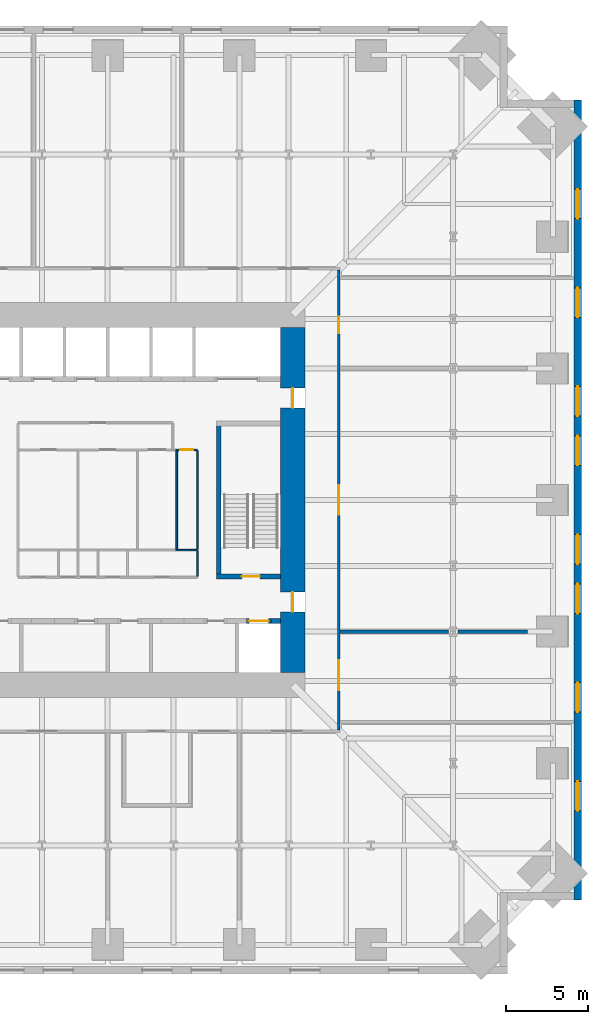
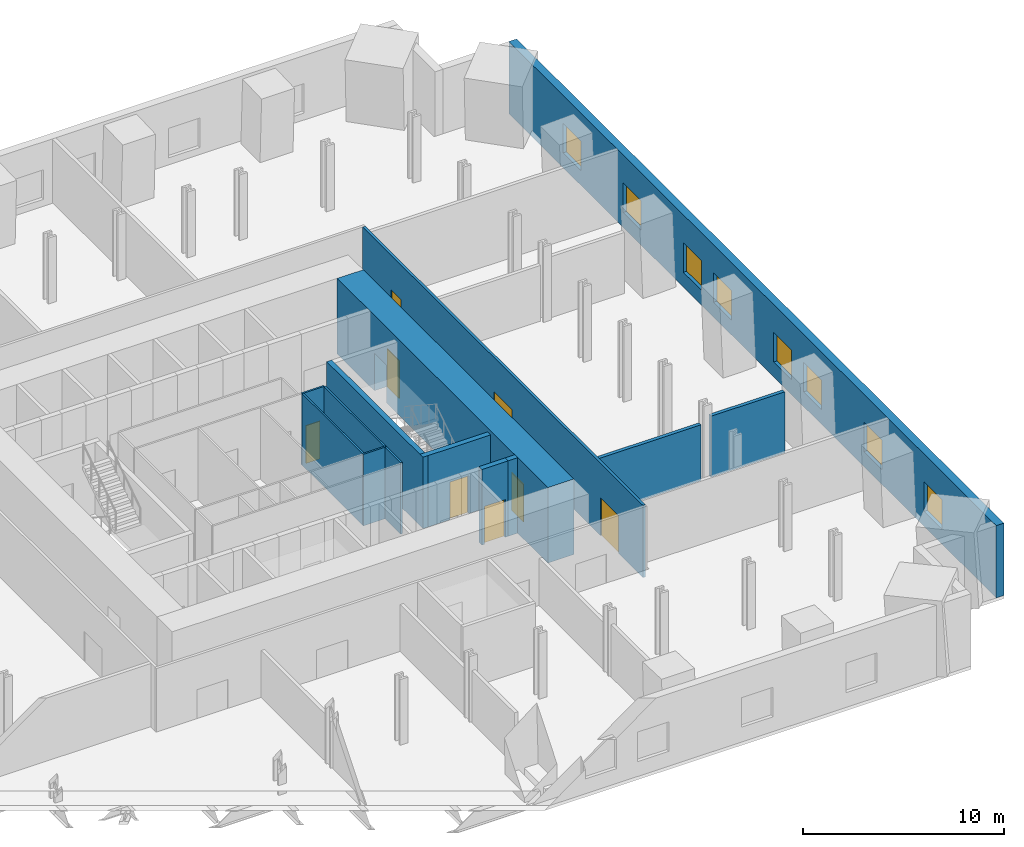
# One storey, part 5 of 8: 14 walls, 8 doors, 8 windows, 16 openings.
"""IFC4 building model written with IfcOpenShell, lengths in metres."""

from ifc_helpers import new_model, si_unit, direction, frame, frame_2d, origin, place, context, subcontext, project, spatial, rectangle, extrude, material, layer, layer_set, type_object, element, fill, save


model = new_model("IFC4")

# Units and contexts
model_context = context("Model", 3, precision=1e-05, world=origin(), true_north=direction((0.0, 1.0)))
body_context = subcontext(model_context, "Body", "Model", "MODEL_VIEW")
ifc_project = project(units=[si_unit("LENGTHUNIT", "METRE"), si_unit("AREAUNIT", "SQUARE_METRE"), si_unit("VOLUMEUNIT", "CUBIC_METRE"), si_unit("PLANEANGLEUNIT", "RADIAN"), si_unit("MASSUNIT", "GRAM", prefix="KILO")], contexts=[model_context])

# Site, building, storey
site_placement = place(None, origin())
site = spatial("IfcSite", under=ifc_project, at=site_placement, CompositionType="ELEMENT")
building_placement = place(site_placement, origin())
building = spatial("IfcBuilding", under=site, at=building_placement, Name="Peilmerk Tower", CompositionType="ELEMENT")
storey_placement = place(building_placement, frame((0.0, 0.0, 95.199951171875)))
storey = spatial("IfcBuildingStorey", under=building, at=storey_placement, Name="L18", CompositionType="ELEMENT", Elevation=95.199951171875)

# Wall, openings, windows
ifc_material_1 = material(Name="Precast concrete C45/55, board-marked finish", Category="concrete")
ifc_layer_1 = layer(ifc_material_1, 0.449951171875)
ifc_layer_set_1 = layer_set([ifc_layer_1], Name="Precast concrete C45/55, board-marked finish")
wall_type_1 = type_object("IfcWallType", Name="EW1 450 precast concrete facade wall, board-marked", PredefinedType="SOLIDWALL", material=ifc_layer_set_1)
wall_1_placement = place(storey_placement, frame((28.574951171875, -24.300048828125, 0.0), z_axis=(0.0, 0.0, 1.0), x_axis=(0.0, 1.0, 0.0)))
wall_1 = element("IfcWall", 1, at=wall_1_placement, inside=storey, type_object=wall_type_1, Name="Facade wall E L18", PredefinedType="SOLIDWALL", context=body_context, shape_type="SweptSolid", body=[
    extrude(rectangle(XDim=48.60009765625, YDim=0.449951171875, at=frame_2d((24.300048828125, 0.0))), origin(), (0.0, 0.0, 1.0), 4.400146484375),
])
opening_1_placement = place(wall_1_placement, frame((5.39990234375, 0.0, 0.89990234375)))
opening_1 = element("IfcOpeningElement", 2, at=opening_1_placement, cuts=wall_1, Name="Opening W3", PredefinedType="OPENING", context=body_context, shape_type="SweptSolid", body=[
    extrude(rectangle(XDim=1.800048828125, YDim=1.800048828125, at=frame_2d((0.89990234375, 0.89990234375))), frame((0.0, 0.23486328125, 0.0), z_axis=(0.0, -1.0, 0.0), x_axis=(1.0, 0.0, 0.0)), (0.0, 0.0, 1.0), 0.469970703125),
])
opening_2_placement = place(wall_1_placement, frame((11.39990234375, 0.0, 0.89990234375)))
opening_2 = element("IfcOpeningElement", 3, at=opening_2_placement, cuts=wall_1, Name="Opening W3", PredefinedType="OPENING", context=body_context, shape_type="SweptSolid", body=[
    extrude(rectangle(XDim=1.800048828125, YDim=1.800048828125, at=frame_2d((0.89990234375, 0.89990234375))), frame((0.0, 0.23486328125, 0.0), z_axis=(0.0, -1.0, 0.0), x_axis=(1.0, 0.0, 0.0)), (0.0, 0.0, 1.0), 0.469970703125),
])
opening_3_placement = place(wall_1_placement, frame((17.39990234375, 0.0, 0.89990234375)))
opening_3 = element("IfcOpeningElement", 4, at=opening_3_placement, cuts=wall_1, Name="Opening W3", PredefinedType="OPENING", context=body_context, shape_type="SweptSolid", body=[
    extrude(rectangle(XDim=1.800048828125, YDim=1.800048828125, at=frame_2d((0.89990234375, 0.89990234375))), frame((0.0, 0.23486328125, 0.0), z_axis=(0.0, -1.0, 0.0), x_axis=(1.0, 0.0, 0.0)), (0.0, 0.0, 1.0), 0.469970703125),
])
opening_4_placement = place(wall_1_placement, frame((20.39990234375, 0.0, 0.89990234375)))
opening_4 = element("IfcOpeningElement", 5, at=opening_4_placement, cuts=wall_1, Name="Opening W3", PredefinedType="OPENING", context=body_context, shape_type="SweptSolid", body=[
    extrude(rectangle(XDim=1.800048828125, YDim=1.800048828125, at=frame_2d((0.89990234375, 0.89990234375))), frame((0.0, 0.23486328125, 0.0), z_axis=(0.0, -1.0, 0.0), x_axis=(1.0, 0.0, 0.0)), (0.0, 0.0, 1.0), 0.469970703125),
])
opening_5_placement = place(wall_1_placement, frame((26.39990234375, 0.0, 0.89990234375)))
opening_5 = element("IfcOpeningElement", 6, at=opening_5_placement, cuts=wall_1, Name="Opening W3", PredefinedType="OPENING", context=body_context, shape_type="SweptSolid", body=[
    extrude(rectangle(XDim=1.800048828125, YDim=1.800048828125, at=frame_2d((0.89990234375, 0.89990234375))), frame((0.0, 0.23486328125, 0.0), z_axis=(0.0, -1.0, 0.0), x_axis=(1.0, 0.0, 0.0)), (0.0, 0.0, 1.0), 0.469970703125),
])
opening_6_placement = place(wall_1_placement, frame((29.39990234375, 0.0, 0.89990234375)))
opening_6 = element("IfcOpeningElement", 7, at=opening_6_placement, cuts=wall_1, Name="Opening W3", PredefinedType="OPENING", context=body_context, shape_type="SweptSolid", body=[
    extrude(rectangle(XDim=1.800048828125, YDim=1.800048828125, at=frame_2d((0.89990234375, 0.89990234375))), frame((0.0, 0.23486328125, 0.0), z_axis=(0.0, -1.0, 0.0), x_axis=(1.0, 0.0, 0.0)), (0.0, 0.0, 1.0), 0.469970703125),
])
opening_7_placement = place(wall_1_placement, frame((35.39990234375, 0.0, 0.89990234375)))
opening_7 = element("IfcOpeningElement", 8, at=opening_7_placement, cuts=wall_1, Name="Opening W3", PredefinedType="OPENING", context=body_context, shape_type="SweptSolid", body=[
    extrude(rectangle(XDim=1.800048828125, YDim=1.800048828125, at=frame_2d((0.89990234375, 0.89990234375))), frame((0.0, 0.23486328125, 0.0), z_axis=(0.0, -1.0, 0.0), x_axis=(1.0, 0.0, 0.0)), (0.0, 0.0, 1.0), 0.469970703125),
])
opening_8_placement = place(wall_1_placement, frame((41.39990234375, 0.0, 0.89990234375)))
opening_8 = element("IfcOpeningElement", 9, at=opening_8_placement, cuts=wall_1, Name="Opening W3", PredefinedType="OPENING", context=body_context, shape_type="SweptSolid", body=[
    extrude(rectangle(XDim=1.800048828125, YDim=1.800048828125, at=frame_2d((0.89990234375, 0.89990234375))), frame((0.0, 0.23486328125, 0.0), z_axis=(0.0, -1.0, 0.0), x_axis=(1.0, 0.0, 0.0)), (0.0, 0.0, 1.0), 0.469970703125),
])
ifc_material_2 = material(Name="Aluminium frame, clear double glazing", Category="aluminium")
window_type = type_object("IfcWindowType", Name="W3 1800x1800 telecom floor window", PartitioningType="SINGLE_PANEL", PredefinedType="WINDOW", material=ifc_material_2)
window_1_placement = place(opening_1_placement, origin())
window_1 = element("IfcWindow", 10, at=window_1_placement, inside=storey, type_object=window_type, Name="Window W3 L18", OverallHeight=1.800048828125, OverallWidth=1.800048828125, PartitioningType="SINGLE_PANEL", PredefinedType="WINDOW", context=body_context, shape_type="SweptSolid", body=[
    extrude(rectangle(XDim=1.800048828125, YDim=1.800048828125, at=frame_2d((0.89990234375, 0.89990234375))), frame((0.0, 0.030029296875, 0.0), z_axis=(0.0, -1.0, 0.0), x_axis=(1.0, 0.0, 0.0)), (0.0, 0.0, 1.0), 0.06005859375),
])
fill(opening_1, window_1)
window_2_placement = place(opening_2_placement, origin())
window_2 = element("IfcWindow", 11, at=window_2_placement, inside=storey, type_object=window_type, Name="Window W3 L18", OverallHeight=1.800048828125, OverallWidth=1.800048828125, PartitioningType="SINGLE_PANEL", PredefinedType="WINDOW", context=body_context, shape_type="SweptSolid", body=[
    extrude(rectangle(XDim=1.800048828125, YDim=1.800048828125, at=frame_2d((0.89990234375, 0.89990234375))), frame((0.0, 0.030029296875, 0.0), z_axis=(0.0, -1.0, 0.0), x_axis=(1.0, 0.0, 0.0)), (0.0, 0.0, 1.0), 0.06005859375),
])
fill(opening_2, window_2)
window_3_placement = place(opening_3_placement, origin())
window_3 = element("IfcWindow", 12, at=window_3_placement, inside=storey, type_object=window_type, Name="Window W3 L18", OverallHeight=1.800048828125, OverallWidth=1.800048828125, PartitioningType="SINGLE_PANEL", PredefinedType="WINDOW", context=body_context, shape_type="SweptSolid", body=[
    extrude(rectangle(XDim=1.800048828125, YDim=1.800048828125, at=frame_2d((0.89990234375, 0.89990234375))), frame((0.0, 0.030029296875, 0.0), z_axis=(0.0, -1.0, 0.0), x_axis=(1.0, 0.0, 0.0)), (0.0, 0.0, 1.0), 0.06005859375),
])
fill(opening_3, window_3)
window_4_placement = place(opening_4_placement, origin())
window_4 = element("IfcWindow", 13, at=window_4_placement, inside=storey, type_object=window_type, Name="Window W3 L18", OverallHeight=1.800048828125, OverallWidth=1.800048828125, PartitioningType="SINGLE_PANEL", PredefinedType="WINDOW", context=body_context, shape_type="SweptSolid", body=[
    extrude(rectangle(XDim=1.800048828125, YDim=1.800048828125, at=frame_2d((0.89990234375, 0.89990234375))), frame((0.0, 0.030029296875, 0.0), z_axis=(0.0, -1.0, 0.0), x_axis=(1.0, 0.0, 0.0)), (0.0, 0.0, 1.0), 0.06005859375),
])
fill(opening_4, window_4)
window_5_placement = place(opening_5_placement, origin())
window_5 = element("IfcWindow", 14, at=window_5_placement, inside=storey, type_object=window_type, Name="Window W3 L18", OverallHeight=1.800048828125, OverallWidth=1.800048828125, PartitioningType="SINGLE_PANEL", PredefinedType="WINDOW", context=body_context, shape_type="SweptSolid", body=[
    extrude(rectangle(XDim=1.800048828125, YDim=1.800048828125, at=frame_2d((0.89990234375, 0.89990234375))), frame((0.0, 0.030029296875, 0.0), z_axis=(0.0, -1.0, 0.0), x_axis=(1.0, 0.0, 0.0)), (0.0, 0.0, 1.0), 0.06005859375),
])
fill(opening_5, window_5)
window_6_placement = place(opening_6_placement, origin())
window_6 = element("IfcWindow", 15, at=window_6_placement, inside=storey, type_object=window_type, Name="Window W3 L18", OverallHeight=1.800048828125, OverallWidth=1.800048828125, PartitioningType="SINGLE_PANEL", PredefinedType="WINDOW", context=body_context, shape_type="SweptSolid", body=[
    extrude(rectangle(XDim=1.800048828125, YDim=1.800048828125, at=frame_2d((0.89990234375, 0.89990234375))), frame((0.0, 0.030029296875, 0.0), z_axis=(0.0, -1.0, 0.0), x_axis=(1.0, 0.0, 0.0)), (0.0, 0.0, 1.0), 0.06005859375),
])
fill(opening_6, window_6)
window_7_placement = place(opening_7_placement, origin())
window_7 = element("IfcWindow", 16, at=window_7_placement, inside=storey, type_object=window_type, Name="Window W3 L18", OverallHeight=1.800048828125, OverallWidth=1.800048828125, PartitioningType="SINGLE_PANEL", PredefinedType="WINDOW", context=body_context, shape_type="SweptSolid", body=[
    extrude(rectangle(XDim=1.800048828125, YDim=1.800048828125, at=frame_2d((0.89990234375, 0.89990234375))), frame((0.0, 0.030029296875, 0.0), z_axis=(0.0, -1.0, 0.0), x_axis=(1.0, 0.0, 0.0)), (0.0, 0.0, 1.0), 0.06005859375),
])
fill(opening_7, window_7)
window_8_placement = place(opening_8_placement, origin())
window_8 = element("IfcWindow", 17, at=window_8_placement, inside=storey, type_object=window_type, Name="Window W3 L18", OverallHeight=1.800048828125, OverallWidth=1.800048828125, PartitioningType="SINGLE_PANEL", PredefinedType="WINDOW", context=body_context, shape_type="SweptSolid", body=[
    extrude(rectangle(XDim=1.800048828125, YDim=1.800048828125, at=frame_2d((0.89990234375, 0.89990234375))), frame((0.0, 0.030029296875, 0.0), z_axis=(0.0, -1.0, 0.0), x_axis=(1.0, 0.0, 0.0)), (0.0, 0.0, 1.0), 0.06005859375),
])
fill(opening_8, window_8)

# Wall, openings, doors
ifc_material_3 = material(Name="Calcium silicate block", Category="masonry")
ifc_layer_2 = layer(ifc_material_3, 0.14990234375)
ifc_layer_set_2 = layer_set([ifc_layer_2], Name="Calcium silicate block")
wall_type_2 = type_object("IfcWallType", Name="IW1 150 corridor partition, EI 60", PredefinedType="PARTITIONING", material=ifc_layer_set_2)
wall_2_placement = place(storey_placement, frame((14.050048828125, -13.97509765625, 0.0), z_axis=(0.0, 0.0, 1.0), x_axis=(0.0, 1.0, 0.0)))
wall_2 = element("IfcWall", 18, at=wall_2_placement, inside=storey, type_object=wall_type_2, Name="Corridor wall E L18", PredefinedType="PARTITIONING", context=body_context, shape_type="SweptSolid", body=[
    extrude(rectangle(XDim=27.9501953125, YDim=0.14990234375, at=frame_2d((13.97509765625, 0.0))), origin(), (0.0, 0.0, 1.0), 4.400146484375),
])
opening_9_placement = place(wall_2_placement, frame((2.425048828125, 0.0, 0.0)))
opening_9 = element("IfcOpeningElement", 19, at=opening_9_placement, cuts=wall_2, Name="Opening D2", PredefinedType="OPENING", context=body_context, shape_type="SweptSolid", body=[
    extrude(rectangle(XDim=1.800048828125, YDim=2.300048828125, at=frame_2d((0.89990234375, 1.14990234375))), frame((0.0, 0.0849609375, 0.0), z_axis=(0.0, -1.0, 0.0), x_axis=(1.0, 0.0, 0.0)), (0.0, 0.0, 1.0), 0.169921875),
])
opening_10_placement = place(wall_2_placement, frame((13.074951171875, 0.0, 0.0)))
opening_10 = element("IfcOpeningElement", 20, at=opening_10_placement, cuts=wall_2, Name="Opening D2", PredefinedType="OPENING", context=body_context, shape_type="SweptSolid", body=[
    extrude(rectangle(XDim=1.800048828125, YDim=2.300048828125, at=frame_2d((0.89990234375, 1.14990234375))), frame((0.0, 0.0849609375, 0.0), z_axis=(0.0, -1.0, 0.0), x_axis=(1.0, 0.0, 0.0)), (0.0, 0.0, 1.0), 0.169921875),
])
opening_11_placement = place(wall_2_placement, frame((24.125, 0.0, 0.0)))
opening_11 = element("IfcOpeningElement", 21, at=opening_11_placement, cuts=wall_2, Name="Opening D1", PredefinedType="OPENING", context=body_context, shape_type="SweptSolid", body=[
    extrude(rectangle(XDim=1.0, YDim=2.300048828125, at=frame_2d((0.5, 1.14990234375))), frame((0.0, 0.0849609375, 0.0), z_axis=(0.0, -1.0, 0.0), x_axis=(1.0, 0.0, 0.0)), (0.0, 0.0, 1.0), 0.169921875),
])
ifc_material_4 = material(Name="Timber door in steel frame", Category="steel")
door_type_1 = type_object("IfcDoorType", Name="D1 1000x2300 room door, EI2 30", OperationType="SINGLE_SWING_LEFT", PredefinedType="DOOR", material=ifc_material_4)
door_1_placement = place(opening_11_placement, frame((1.0, 0.0, 0.0), z_axis=(0.0, 0.0, 1.0), x_axis=(-1.0, 0.0, 0.0)))
door_1 = element("IfcDoor", 22, at=door_1_placement, inside=storey, type_object=door_type_1, Name="Door Power distribution room L18", OperationType="SINGLE_SWING_LEFT", OverallHeight=2.300048828125, OverallWidth=1.0, PredefinedType="DOOR", context=body_context, shape_type="SweptSolid", body=[
    extrude(rectangle(XDim=1.0, YDim=2.300048828125, at=frame_2d((0.5, 1.14990234375))), frame((0.0, 0.02490234375, 0.0), z_axis=(0.0, -1.0, 0.0), x_axis=(1.0, 0.0, 0.0)), (0.0, 0.0, 1.0), 0.050048828125),
])
fill(opening_11, door_1)
ifc_material_5 = material(Name="Steel door in steel frame", Category="steel")
door_type_2 = type_object("IfcDoorType", Name="D2 1800x2300 double door, EI2 60", OperationType="DOUBLE_DOOR_DOUBLE_SWING", PredefinedType="DOOR", material=ifc_material_5)
door_2_placement = place(opening_9_placement, frame((1.800048828125, 0.0, 0.0), z_axis=(0.0, 0.0, 1.0), x_axis=(-1.0, 0.0, 0.0)))
door_2 = element("IfcDoor", 23, at=door_2_placement, inside=storey, type_object=door_type_2, Name="Door Rectifier room L18", OperationType="DOUBLE_DOOR_DOUBLE_SWING", OverallHeight=2.300048828125, OverallWidth=1.800048828125, PredefinedType="DOOR", context=body_context, shape_type="SweptSolid", body=[
    extrude(rectangle(XDim=1.800048828125, YDim=2.300048828125, at=frame_2d((0.89990234375, 1.14990234375))), frame((0.0, 0.02490234375, 0.0), z_axis=(0.0, -1.0, 0.0), x_axis=(1.0, 0.0, 0.0)), (0.0, 0.0, 1.0), 0.050048828125),
])
fill(opening_9, door_2)
door_3_placement = place(opening_10_placement, frame((1.800048828125, 0.0, 0.0), z_axis=(0.0, 0.0, 1.0), x_axis=(-1.0, 0.0, 0.0)))
door_3 = element("IfcDoor", 24, at=door_3_placement, inside=storey, type_object=door_type_2, Name="Door Battery room L18", OperationType="DOUBLE_DOOR_DOUBLE_SWING", OverallHeight=2.300048828125, OverallWidth=1.800048828125, PredefinedType="DOOR", context=body_context, shape_type="SweptSolid", body=[
    extrude(rectangle(XDim=1.800048828125, YDim=2.300048828125, at=frame_2d((0.89990234375, 1.14990234375))), frame((0.0, 0.02490234375, 0.0), z_axis=(0.0, -1.0, 0.0), x_axis=(1.0, 0.0, 0.0)), (0.0, 0.0, 1.0), 0.050048828125),
])
fill(opening_10, door_3)

# Walls
ifc_layer_3 = layer(ifc_material_3, 0.199951171875)
ifc_layer_set_3 = layer_set([ifc_layer_3], Name="Calcium silicate block")
wall_type_3 = type_object("IfcWallType", Name="IW2 200 room separating wall, EI 120", PredefinedType="PARTITIONING", material=ifc_layer_set_3)
wall_3_placement = place(storey_placement, frame((14.125, -8.0, 0.0), z_axis=(0.0, 0.0, 1.0), x_axis=(1.0, 0.0, 0.0)))
element("IfcWall", 25, at=wall_3_placement, inside=storey, type_object=wall_type_3, Name="Room separating wall E1 L18", PredefinedType="PARTITIONING", context=body_context, shape_type="SweptSolid", body=[
    extrude(rectangle(XDim=6.590576171875, YDim=0.199951171875, at=frame_2d((3.29541015625, 0.0))), origin(), (0.0, 0.0, 1.0), 3.39208984375),
])
wall_4_placement = place(storey_placement, frame((21.284423828125, -8.0, 0.0), z_axis=(0.0, 0.0, 1.0), x_axis=(1.0, 0.0, 0.0)))
element("IfcWall", 26, at=wall_4_placement, inside=storey, type_object=wall_type_3, Name="Room separating wall E1b L18", PredefinedType="PARTITIONING", context=body_context, shape_type="SweptSolid", body=[
    extrude(rectangle(XDim=4.24462890625, YDim=0.199951171875, at=frame_2d((2.122314453125, 0.0))), origin(), (0.0, 0.0, 1.0), 3.7099609375),
])
ifc_material_6 = material(Name="Concrete C35/45", Category="concrete")
ifc_layer_4 = layer(ifc_material_6, 0.300048828125)
ifc_layer_set_4 = layer_set([ifc_layer_4], Name="Concrete C35/45")
wall_type_4 = type_object("IfcWallType", Name="IW3 300 concrete stair enclosure wall, EI 120", PredefinedType="SOLIDWALL", material=ifc_layer_set_4)
wall_5_placement = place(storey_placement, frame((6.75, -4.800048828125, 0.0), z_axis=(0.0, 0.0, 1.0), x_axis=(0.0, 1.0, 0.0)))
element("IfcWall", 27, at=wall_5_placement, inside=storey, type_object=wall_type_4, Name="Stair 2 enclosure L18", PredefinedType="SOLIDWALL", context=body_context, shape_type="SweptSolid", body=[
    extrude(rectangle(XDim=9.60009765625, YDim=0.300048828125, at=frame_2d((4.800048828125, 0.0))), origin(), (0.0, 0.0, 1.0), 4.35009765625),
])

# Wall, opening, door
wall_6_placement = place(storey_placement, frame((10.5, -4.64990234375, 0.0), z_axis=(0.0, 0.0, 1.0), x_axis=(-1.0, 0.0, 0.0)))
wall_6 = element("IfcWall", 28, at=wall_6_placement, inside=storey, type_object=wall_type_4, Name="Stair 2 enclosure L18", PredefinedType="SOLIDWALL", context=body_context, shape_type="SweptSolid", body=[
    extrude(rectangle(XDim=3.89990234375, YDim=0.300048828125, at=frame_2d((1.949951171875, 0.0))), origin(), (0.0, 0.0, 1.0), 4.35009765625),
])
opening_12_placement = place(wall_6_placement, frame((1.25, 0.0, 0.0)))
opening_12 = element("IfcOpeningElement", 29, at=opening_12_placement, cuts=wall_6, Name="Opening D4", PredefinedType="OPENING", context=body_context, shape_type="SweptSolid", body=[
    extrude(rectangle(XDim=1.10009765625, YDim=2.300048828125, at=frame_2d((0.550048828125, 1.14990234375))), frame((0.0, 0.159912109375, 0.0), z_axis=(0.0, -1.0, 0.0), x_axis=(1.0, 0.0, 0.0)), (0.0, 0.0, 1.0), 0.320068359375),
])
door_type_3 = type_object("IfcDoorType", Name="D4 1100x2300 stair door, EI2 60", OperationType="SINGLE_SWING_RIGHT", PredefinedType="DOOR", material=ifc_material_5)
door_4_placement = place(opening_12_placement, frame((1.10009765625, 0.0, 0.0), z_axis=(0.0, 0.0, 1.0), x_axis=(-1.0, 0.0, 0.0)))
door_4 = element("IfcDoor", 30, at=door_4_placement, inside=storey, type_object=door_type_3, Name="Stair 2 door L18", OperationType="SINGLE_SWING_RIGHT", OverallHeight=2.300048828125, OverallWidth=1.10009765625, PredefinedType="DOOR", context=body_context, shape_type="SweptSolid", body=[
    extrude(rectangle(XDim=1.10009765625, YDim=2.300048828125, at=frame_2d((0.550048828125, 1.14990234375))), frame((0.0, 0.02490234375, 0.0), z_axis=(0.0, -1.0, 0.0), x_axis=(1.0, 0.0, 0.0)), (0.0, 0.0, 1.0), 0.050048828125),
])
fill(opening_12, door_4)

ifc_material_7 = material(Name="Calcium silicate board on steel studs", Category="steel")
ifc_layer_5 = layer(ifc_material_7, 0.10009765625)
ifc_layer_set_5 = layer_set([ifc_layer_5], Name="Calcium silicate board on steel studs")
wall_type_5 = type_object("IfcWallType", Name="IW5 100 riser enclosure wall, EI 60", PredefinedType="PARTITIONING", material=ifc_layer_set_5)
wall_7_placement = place(storey_placement, frame((4.14990234375, 3.050048828125, 0.0), z_axis=(0.0, 0.0, 1.0), x_axis=(1.0, 0.0, 0.0)))
wall_7 = element("IfcWall", 31, at=wall_7_placement, inside=storey, type_object=wall_type_5, Name="Riser wall L18", PredefinedType="PARTITIONING", context=body_context, shape_type="SweptSolid", body=[
    extrude(rectangle(XDim=1.300048828125, YDim=0.10009765625, at=frame_2d((0.64990234375, 0.0))), origin(), (0.0, 0.0, 1.0), 4.35009765625),
])
opening_13_placement = place(wall_7_placement, frame((0.25, 0.0, 0.0)))
opening_13 = element("IfcOpeningElement", 32, at=opening_13_placement, cuts=wall_7, Name="Opening D7", PredefinedType="OPENING", context=body_context, shape_type="SweptSolid", body=[
    extrude(rectangle(XDim=0.800048828125, YDim=2.300048828125, at=frame_2d((0.39990234375, 1.14990234375))), frame((0.0, 0.06005859375, 0.0), z_axis=(0.0, -1.0, 0.0), x_axis=(1.0, 0.0, 0.0)), (0.0, 0.0, 1.0), 0.1201171875),
])
door_type_4 = type_object("IfcDoorType", Name="D7 800x2300 riser access door, EI2 60", OperationType="SINGLE_SWING_RIGHT", PredefinedType="DOOR", material=ifc_material_5)
door_5_placement = place(opening_13_placement, frame((0.800048828125, 0.0, 0.0), z_axis=(0.0, 0.0, 1.0), x_axis=(-1.0, 0.0, 0.0)))
door_5 = element("IfcDoor", 33, at=door_5_placement, inside=storey, type_object=door_type_4, Name="Plumbing riser door L18", OperationType="SINGLE_SWING_RIGHT", OverallHeight=2.300048828125, OverallWidth=0.800048828125, PredefinedType="DOOR", context=body_context, shape_type="SweptSolid", body=[
    extrude(rectangle(XDim=0.800048828125, YDim=2.300048828125, at=frame_2d((0.39990234375, 1.14990234375))), frame((0.0, 0.02490234375, 0.0), z_axis=(0.0, -1.0, 0.0), x_axis=(1.0, 0.0, 0.0)), (0.0, 0.0, 1.0), 0.050048828125),
])
fill(opening_13, door_5)

# Walls
wall_8_placement = place(storey_placement, frame((5.449951171875, -3.050048828125, 0.0), z_axis=(0.0, 0.0, 1.0), x_axis=(-1.0, 0.0, 0.0)))
element("IfcWall", 34, at=wall_8_placement, inside=storey, type_object=wall_type_5, Name="Riser wall L18", PredefinedType="PARTITIONING", context=body_context, shape_type="SweptSolid", body=[
    extrude(rectangle(XDim=1.300048828125, YDim=0.10009765625, at=frame_2d((0.64990234375, 0.0))), origin(), (0.0, 0.0, 1.0), 4.35009765625),
])
for number, where, z_axis, x_axis, name in (
    (35, (5.449951171875, 3.0, 0.0), (0.0, 0.0, 1.0), (0.0, -1.0, 0.0), "Riser wall L18"),
    (36, (4.199951171875, -3.0, 0.0), (0.0, 0.0, 1.0), (0.0, 1.0, 0.0), "Riser wall L18"),
):
    element("IfcWall", number, at=place(storey_placement, frame(where, z_axis=z_axis, x_axis=x_axis)), inside=storey, type_object=wall_type_5, Name=name, PredefinedType="PARTITIONING", context=body_context, shape_type="SweptSolid", body=[
        extrude(rectangle(XDim=6.0, YDim=0.10009765625, at=frame_2d((3.0, 0.0))), origin(), (0.0, 0.0, 1.0), 4.35009765625),
    ])
wall_9_placement = place(storey_placement, frame((5.449951171875, -3.10009765625, 0.0), z_axis=(0.0, 0.0, 1.0), x_axis=(0.0, -1.0, 0.0)))
element("IfcWall", 37, at=wall_9_placement, inside=storey, type_object=wall_type_5, Name="Riser wall L18", PredefinedType="PARTITIONING", context=body_context, shape_type="SweptSolid", body=[
    extrude(rectangle(XDim=1.5498046875, YDim=0.10009765625, at=frame_2d((0.77490234375, 0.0))), origin(), (0.0, 0.0, 1.0), 4.35009765625),
])

# Wall, opening, door
ifc_layer_6 = layer(ifc_material_3, 0.300048828125)
ifc_layer_set_6 = layer_set([ifc_layer_6], Name="Calcium silicate block")
wall_type_6 = type_object("IfcWallType", Name="SH2 300 lift landing door panel, EI 120", PredefinedType="PARTITIONING", material=ifc_layer_set_6)
wall_10_placement = place(storey_placement, frame((8.4375, -7.35009765625, 0.0), z_axis=(0.0, 0.0, 1.0), x_axis=(1.0, 0.0, 0.0)))
wall_10 = element("IfcWall", 38, at=wall_10_placement, inside=storey, type_object=wall_type_6, Name="Lift door panel S FL2 L18", PredefinedType="PARTITIONING", context=body_context, shape_type="SweptSolid", body=[
    extrude(rectangle(XDim=1.5, YDim=0.300048828125, at=frame_2d((0.75, 0.0))), origin(), (0.0, 0.0, 1.0), 4.60009765625),
])
opening_14_placement = place(wall_10_placement, frame((0.14990234375, 0.0, 0.0)))
opening_14 = element("IfcOpeningElement", 39, at=opening_14_placement, cuts=wall_10, Name="Opening LD2", PredefinedType="OPENING", context=body_context, shape_type="SweptSolid", body=[
    extrude(rectangle(XDim=1.199951171875, YDim=2.300048828125, at=frame_2d((0.60009765625, 1.14990234375))), frame((0.0, 0.159912109375, 0.0), z_axis=(0.0, -1.0, 0.0), x_axis=(1.0, 0.0, 0.0)), (0.0, 0.0, 1.0), 0.320068359375),
])
ifc_material_8 = material(Name="Stainless steel landing door", Category="steel")
door_type_5 = type_object("IfcDoorType", Name="LD2 1200x2300 lift landing door, sliding, EI2 60", OperationType="SLIDING_TO_LEFT", PredefinedType="DOOR", material=ifc_material_8)
door_6_placement = place(opening_14_placement, origin())
door_6 = element("IfcDoor", 40, at=door_6_placement, inside=storey, type_object=door_type_5, Name="Lift landing door FL2 L18", OperationType="SLIDING_TO_LEFT", OverallHeight=2.300048828125, OverallWidth=1.199951171875, PredefinedType="DOOR", context=body_context, shape_type="SweptSolid", body=[
    extrude(rectangle(XDim=1.199951171875, YDim=2.300048828125, at=frame_2d((0.60009765625, 1.14990234375))), frame((0.0, 0.02490234375, 0.0), z_axis=(0.0, -1.0, 0.0), x_axis=(1.0, 0.0, 0.0)), (0.0, 0.0, 1.0), 0.050048828125),
])
fill(opening_14, door_6)

# Wall, openings, doors
ifc_material_9 = material(Name="Concrete C55/67", Category="concrete")
ifc_layer_7 = layer(ifc_material_9, 1.5)
ifc_layer_set_7 = layer_set([ifc_layer_7], Name="Concrete C55/67")
wall_type_7 = type_object("IfcWallType", Name="SW1 1500 core wall", PredefinedType="SHEAR", material=ifc_layer_set_7)
wall_11_placement = place(storey_placement, frame((11.25, 10.5, 0.0), z_axis=(0.0, 0.0, 1.0), x_axis=(0.0, -1.0, 0.0)))
wall_11 = element("IfcWall", 41, at=wall_11_placement, inside=storey, type_object=wall_type_7, Name="Core wall E L18", PredefinedType="SHEAR", context=body_context, shape_type="SweptSolid", body=[
    extrude(rectangle(XDim=21.0, YDim=1.5, at=frame_2d((10.5, 0.0))), origin(), (0.0, 0.0, 1.0), 4.60009765625),
])
opening_15_placement = place(wall_11_placement, frame((3.699951171875, 0.0, 0.0)))
opening_15 = element("IfcOpeningElement", 42, at=opening_15_placement, cuts=wall_11, Name="Opening D3", PredefinedType="OPENING", context=body_context, shape_type="SweptSolid", body=[
    extrude(rectangle(XDim=1.199951171875, YDim=2.300048828125, at=frame_2d((0.60009765625, 1.14990234375))), frame((0.0, 0.760009765625, 0.0), z_axis=(0.0, -1.0, 0.0), x_axis=(1.0, 0.0, 0.0)), (0.0, 0.0, 1.0), 1.52001953125),
])
opening_16_placement = place(wall_11_placement, frame((16.10009765625, 0.0, 0.0)))
opening_16 = element("IfcOpeningElement", 43, at=opening_16_placement, cuts=wall_11, Name="Opening D3", PredefinedType="OPENING", context=body_context, shape_type="SweptSolid", body=[
    extrude(rectangle(XDim=1.199951171875, YDim=2.300048828125, at=frame_2d((0.60009765625, 1.14990234375))), frame((0.0, 0.760009765625, 0.0), z_axis=(0.0, -1.0, 0.0), x_axis=(1.0, 0.0, 0.0)), (0.0, 0.0, 1.0), 1.52001953125),
])
door_type_6 = type_object("IfcDoorType", Name="D3 1200x2300 core door, EI2 60", OperationType="SINGLE_SWING_LEFT", PredefinedType="DOOR", material=ifc_material_5)
door_7_placement = place(opening_15_placement, frame((1.199951171875, 0.0, 0.0), z_axis=(0.0, 0.0, 1.0), x_axis=(-1.0, 0.0, 0.0)))
door_7 = element("IfcDoor", 44, at=door_7_placement, inside=storey, type_object=door_type_6, Name="Core door L18", OperationType="SINGLE_SWING_LEFT", OverallHeight=2.300048828125, OverallWidth=1.199951171875, PredefinedType="DOOR", context=body_context, shape_type="SweptSolid", body=[
    extrude(rectangle(XDim=1.199951171875, YDim=2.300048828125, at=frame_2d((0.60009765625, 1.14990234375))), frame((0.0, 0.02490234375, 0.0), z_axis=(0.0, -1.0, 0.0), x_axis=(1.0, 0.0, 0.0)), (0.0, 0.0, 1.0), 0.050048828125),
])
fill(opening_15, door_7)
door_8_placement = place(opening_16_placement, frame((1.199951171875, 0.0, 0.0), z_axis=(0.0, 0.0, 1.0), x_axis=(-1.0, 0.0, 0.0)))
door_8 = element("IfcDoor", 45, at=door_8_placement, inside=storey, type_object=door_type_6, Name="Core door L18", OperationType="SINGLE_SWING_LEFT", OverallHeight=2.300048828125, OverallWidth=1.199951171875, PredefinedType="DOOR", context=body_context, shape_type="SweptSolid", body=[
    extrude(rectangle(XDim=1.199951171875, YDim=2.300048828125, at=frame_2d((0.60009765625, 1.14990234375))), frame((0.0, 0.02490234375, 0.0), z_axis=(0.0, -1.0, 0.0), x_axis=(1.0, 0.0, 0.0)), (0.0, 0.0, 1.0), 0.050048828125),
])
fill(opening_16, door_8)

# Wall
ifc_layer_8 = layer(ifc_material_9, 0.300048828125)
ifc_layer_set_8 = layer_set([ifc_layer_8], Name="Concrete C55/67")
wall_type_8 = type_object("IfcWallType", Name="SW2 300 lift bank pier", PredefinedType="SHEAR", material=ifc_layer_set_8)
wall_12_placement = place(storey_placement, frame((9.9375, -7.35009765625, 0.0), z_axis=(0.0, 0.0, 1.0), x_axis=(1.0, 0.0, 0.0)))
element("IfcWall", 46, at=wall_12_placement, inside=storey, type_object=wall_type_8, Name="Lift bank pier S L18", PredefinedType="SHEAR", context=body_context, shape_type="SweptSolid", body=[
    extrude(rectangle(XDim=0.5625, YDim=0.300048828125, at=frame_2d((0.28125, 0.0))), origin(), (0.0, 0.0, 1.0), 4.60009765625),
])

save(model, "model.ifc")
